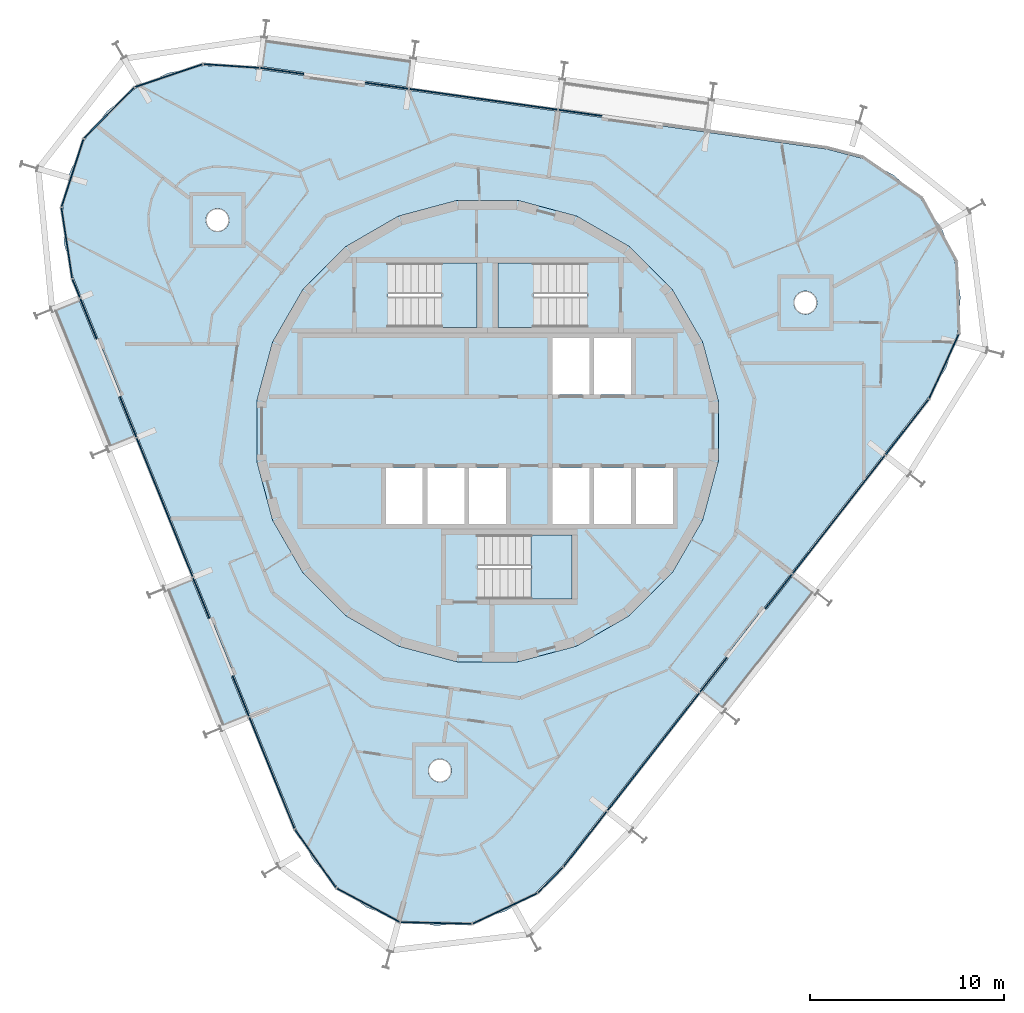
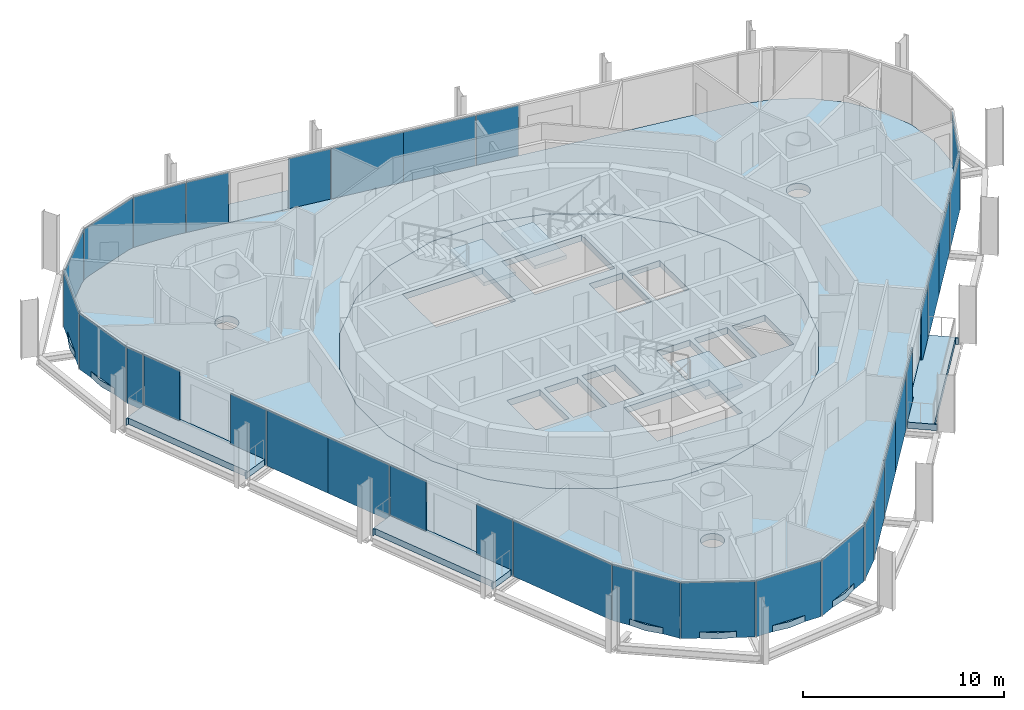
# One storey, part 8 of 15: 32 plates, 9 slabs, 9 elements without a shape of their own.
"""IFC4 building model written with IfcOpenShell, lengths in metres."""

from ifc_helpers import new_model, si_unit, direction, frame, origin, origin_2d, place, context, subcontext, project, spatial, polyline, rectangle, outline, extrude, material, layer, layer_set, type_object, element, aggregate, save


model = new_model("IFC4")

# Units and contexts
model_context = context("Model", 3, precision=1e-05, world=origin(), true_north=direction((0.0, 1.0)))
body_context = subcontext(model_context, "Body", "Model", "MODEL_VIEW")
ifc_project = project(units=[si_unit("LENGTHUNIT", "METRE"), si_unit("AREAUNIT", "SQUARE_METRE"), si_unit("VOLUMEUNIT", "CUBIC_METRE"), si_unit("PLANEANGLEUNIT", "RADIAN"), si_unit("MASSUNIT", "GRAM", prefix="KILO")], contexts=[model_context])

# Site, building, storey
site_placement = place(None, origin())
site = spatial("IfcSite", under=ifc_project, at=site_placement, CompositionType="ELEMENT")
building_placement = place(site_placement, origin())
building = spatial("IfcBuilding", under=site, at=building_placement, Name="Spindle Arch Residences", CompositionType="ELEMENT")
storey_placement = place(building_placement, frame((0.0, 0.0, 350.5)))
storey = spatial("IfcBuildingStorey", under=building, at=storey_placement, Name="L90", CompositionType="ELEMENT", Elevation=350.5)

# Slabs
ifc_material_1 = material(Name="Concrete C40/50", Category="concrete")
ifc_layer_1 = layer(ifc_material_1, 0.3798828125)
ifc_layer_set_1 = layer_set([ifc_layer_1], Name="Balcony slab 380")
slab_type_1 = type_object("IfcSlabType", Name="Balcony slab 380", PredefinedType="FLOOR", material=ifc_layer_set_1)
slab_1_placement = place(storey_placement, frame((0.0, 0.0, -0.3798828125)))
element("IfcSlab", 1, at=slab_1_placement, inside=storey, type_object=slab_type_1, Name="Balcony L90 bay 8", PredefinedType="FLOOR", context=body_context, shape_type="SweptSolid", body=[
    extrude(outline(polyline([(-3.909423828125, 19.219482421875), (-3.98388671875, 19.22998046875), (-4.004638671875, 19.08154296875), (-11.397705078125, 20.120361328125), (-11.376708984375, 20.26904296875), (-11.450927734375, 20.279541015625), (-11.658447265625, 18.803955078125), (-9.47216796875, 18.49658203125), (-9.494384765625, 18.338134765625), (-6.325439453125, 17.892822265625), (-6.30322265625, 18.05126953125), (-4.116943359375, 17.744140625), (-3.909423828125, 19.219482421875)])), origin(), (0.0, 0.0, 1.0), 0.3798828125),
])
slab_2_placement = place(storey_placement, frame((0.0, 0.0, -0.3798828125)))
element("IfcSlab", 2, at=slab_2_placement, inside=storey, type_object=slab_type_1, Name="Balcony L90 bay 12", PredefinedType="FLOOR", context=body_context, shape_type="SweptSolid", body=[
    extrude(outline(polyline([(-22.447265625, 6.204833984375), (-22.419189453125, 6.13525390625), (-22.280029296875, 6.19140625), (-19.4833984375, -0.73046875), (-19.62255859375, -0.78662109375), (-19.594482421875, -0.856201171875), (-18.212890625, -0.298095703125), (-19.0400390625, 1.7490234375), (-18.8916015625, 1.808837890625), (-20.09033203125, 4.77587890625), (-20.23876953125, 4.716064453125), (-21.06591796875, 6.762939453125), (-22.447265625, 6.204833984375)])), origin(), (0.0, 0.0, 1.0), 0.3798828125),
])
slab_3_placement = place(storey_placement, frame((0.0, 0.0, -0.3798828125)))
element("IfcSlab", 3, at=slab_3_placement, inside=storey, type_object=slab_type_1, Name="Balcony L90 bay 14", PredefinedType="FLOOR", context=body_context, shape_type="SweptSolid", body=[
    extrude(outline(polyline([(-16.629150390625, -8.195556640625), (-16.60107421875, -8.264892578125), (-16.462158203125, -8.208740234375), (-13.665283203125, -15.130859375), (-13.804443359375, -15.18701171875), (-13.7763671875, -15.256591796875), (-12.394775390625, -14.6982421875), (-13.221923828125, -12.6513671875), (-13.073486328125, -12.59130859375), (-14.272216796875, -9.624267578125), (-14.420654296875, -9.684326171875), (-15.247802734375, -7.63720703125), (-16.629150390625, -8.195556640625)])), origin(), (0.0, 0.0, 1.0), 0.3798828125),
])
slab_4_placement = place(storey_placement, frame((0.0, 0.0, -0.3798828125)))
element("IfcSlab", 4, at=slab_4_placement, inside=storey, type_object=slab_type_1, Name="Balcony L90 bay 20", PredefinedType="FLOOR", context=body_context, shape_type="SweptSolid", body=[
    extrude(outline(polyline([(12.224853515625, -14.38330078125), (12.27099609375, -14.323974609375), (12.15283203125, -14.231689453125), (16.7490234375, -8.348876953125), (16.8671875, -8.441162109375), (16.913330078125, -8.382080078125), (15.7392578125, -7.464599609375), (14.3798828125, -9.204345703125), (14.25390625, -9.10595703125), (12.28369140625, -11.627685546875), (12.409912109375, -11.72607421875), (11.050537109375, -13.4658203125), (12.224853515625, -14.38330078125)])), origin(), (0.0, 0.0, 1.0), 0.3798828125),
])
ifc_material_2 = material(Name="Concrete C50/60", Category="concrete")
ifc_layer_2 = layer(ifc_material_2, 0.3798828125)
ifc_layer_set_2 = layer_set([ifc_layer_2], Name="Core floor slab 380")
slab_type_2 = type_object("IfcSlabType", Name="Core floor slab 380", PredefinedType="FLOOR", material=ifc_layer_set_2)
slab_5_placement = place(storey_placement, frame((0.0, 0.0, -0.3798828125)))
element("IfcSlab", 5, at=slab_5_placement, inside=storey, type_object=slab_type_2, Name="Core floor L90", PredefinedType="FLOOR", context=body_context, shape_type="SweptSolid", body=[
    extrude(outline(polyline([(1.56640625, -11.897216796875), (4.59228515625, -11.086669921875), (7.30517578125, -9.520263671875), (9.520263671875, -7.30517578125), (11.086669921875, -4.59228515625), (11.897216796875, -1.56640625), (11.897216796875, 1.56640625), (11.086669921875, 4.59228515625), (9.520263671875, 7.30517578125), (7.30517578125, 9.520263671875), (4.59228515625, 11.086669921875), (1.56640625, 11.897216796875), (-1.56640625, 11.897216796875), (-4.59228515625, 11.086669921875), (-7.30517578125, 9.520263671875), (-9.520263671875, 7.30517578125), (-11.086669921875, 4.59228515625), (-11.897216796875, 1.56640625), (-11.897216796875, -1.56640625), (-11.086669921875, -4.59228515625), (-9.520263671875, -7.30517578125), (-7.30517578125, -9.520263671875), (-4.59228515625, -11.086669921875), (-1.56640625, -11.897216796875), (1.56640625, -11.897216796875)]), holes=[polyline([(3.35009765625, 1.89990234375), (5.25, 1.89990234375), (5.25, 4.800048828125), (3.35009765625, 4.800048828125), (3.35009765625, 1.89990234375)]), polyline([(5.5, 1.89990234375), (7.39990234375, 1.89990234375), (7.39990234375, 4.800048828125), (5.5, 4.800048828125), (5.5, 1.89990234375)]), polyline([(-5.25, -4.800048828125), (-3.35009765625, -4.800048828125), (-3.35009765625, -1.89990234375), (-5.25, -1.89990234375), (-5.25, -4.800048828125)]), polyline([(-3.10009765625, -4.800048828125), (-1.199951171875, -4.800048828125), (-1.199951171875, -1.89990234375), (-3.10009765625, -1.89990234375), (-3.10009765625, -4.800048828125)]), polyline([(-0.949951171875, -4.800048828125), (0.949951171875, -4.800048828125), (0.949951171875, -1.89990234375), (-0.949951171875, -1.89990234375), (-0.949951171875, -4.800048828125)]), polyline([(3.35009765625, -4.800048828125), (5.25, -4.800048828125), (5.25, -1.89990234375), (3.35009765625, -1.89990234375), (3.35009765625, -4.800048828125)]), polyline([(5.5, -4.800048828125), (7.39990234375, -4.800048828125), (7.39990234375, -1.89990234375), (5.5, -1.89990234375), (5.5, -4.800048828125)]), polyline([(7.64990234375, -4.800048828125), (9.550048828125, -4.800048828125), (9.550048828125, -1.89990234375), (7.64990234375, -1.89990234375), (7.64990234375, -4.800048828125)]), polyline([(5.1298828125, 8.669921875), (0.550048828125, 8.669921875), (0.550048828125, 5.35009765625), (5.1298828125, 5.35009765625), (5.1298828125, 8.669921875)]), polyline([(-5.1298828125, 5.35009765625), (-0.550048828125, 5.35009765625), (-0.550048828125, 8.669921875), (-5.1298828125, 8.669921875), (-5.1298828125, 5.35009765625)]), polyline([(-0.530029296875, -8.669921875), (4.35009765625, -8.669921875), (4.35009765625, -5.35009765625), (-0.530029296875, -5.35009765625), (-0.530029296875, -8.669921875)])]), origin(), (0.0, 0.0, 1.0), 0.3798828125),
])

# Stair, slab
ifc_material_3 = material(Name="Concrete C50/60", Category="concrete")
stair_type = type_object("IfcStairType", Name="Exit stair 16 risers", PredefinedType="HALF_TURN_STAIR", material=ifc_material_3)
stair_1_placement = place(storey_placement, origin())
stair_1 = element("IfcStair", 6, at=stair_1_placement, inside=storey, type_object=stair_type, Name="L90 Exit stair ST1", PredefinedType="HALF_TURN_STAIR")
ifc_material_4 = material(Name="Concrete C50/60", Category="concrete")
ifc_layer_3 = layer(ifc_material_4, 0.219970703125)
ifc_layer_set_3 = layer_set([ifc_layer_3], Name="Exit stair landing 220")
slab_type_3 = type_object("IfcSlabType", Name="Exit stair landing 220", PredefinedType="LANDING", material=ifc_layer_set_3)
slab_6_placement = place(storey_placement, frame((0.0, 0.0, 1.530029296875)))
slab_6 = element("IfcSlab", 7, at=slab_6_placement, type_object=slab_type_3, Name="ST1 landing 1", PredefinedType="LANDING", context=body_context, shape_type="SweptSolid", body=[
    extrude(outline(polyline([(2.3701171875, 8.669921875), (0.550048828125, 8.669921875), (0.550048828125, 5.35009765625), (2.3701171875, 5.35009765625), (2.3701171875, 8.669921875)])), origin(), (0.0, 0.0, 1.0), 0.219970703125),
])
aggregate(stair_1, [slab_6])

stair_2_placement = place(storey_placement, origin())
stair_2 = element("IfcStair", 8, at=stair_2_placement, inside=storey, type_object=stair_type, Name="L90 Exit stair ST2", PredefinedType="HALF_TURN_STAIR")
slab_7_placement = place(storey_placement, frame((0.0, 0.0, 1.530029296875)))
slab_7 = element("IfcSlab", 9, at=slab_7_placement, type_object=slab_type_3, Name="ST2 landing 1", PredefinedType="LANDING", context=body_context, shape_type="SweptSolid", body=[
    extrude(outline(polyline([(-2.3701171875, 5.35009765625), (-0.550048828125, 5.35009765625), (-0.550048828125, 8.669921875), (-2.3701171875, 8.669921875), (-2.3701171875, 5.35009765625)])), origin(), (0.0, 0.0, 1.0), 0.219970703125),
])
aggregate(stair_2, [slab_7])

stair_3_placement = place(storey_placement, origin())
stair_3 = element("IfcStair", 10, at=stair_3_placement, inside=storey, type_object=stair_type, Name="L90 Exit stair ST3", PredefinedType="HALF_TURN_STAIR")
slab_8_placement = place(storey_placement, frame((0.0, 0.0, 1.530029296875)))
slab_8 = element("IfcSlab", 11, at=slab_8_placement, type_object=slab_type_3, Name="ST3 landing 1", PredefinedType="LANDING", context=body_context, shape_type="SweptSolid", body=[
    extrude(outline(polyline([(2.22998046875, -8.669921875), (4.35009765625, -8.669921875), (4.35009765625, -5.35009765625), (2.22998046875, -5.35009765625), (2.22998046875, -8.669921875)])), origin(), (0.0, 0.0, 1.0), 0.219970703125),
])
aggregate(stair_3, [slab_8])

# Slab
ifc_material_5 = material(Name="Concrete C40/50", Category="concrete")
ifc_layer_4 = layer(ifc_material_5, 0.3798828125)
ifc_layer_set_4 = layer_set([ifc_layer_4], Name="Floor slab 380")
slab_type_4 = type_object("IfcSlabType", Name="Floor slab 380", PredefinedType="FLOOR", material=ifc_layer_set_4)
slab_9_placement = place(storey_placement, frame((0.0, 0.0, -0.3798828125)))
element("IfcSlab", 12, at=slab_9_placement, inside=storey, type_object=slab_type_4, Name="Floor slab L90", PredefinedType="FLOOR", context=body_context, shape_type="SweptSolid", body=[
    extrude(outline(polyline([(2.5380859375, -23.751220703125), (0.962890625, -24.735595703125), (-0.796875, -25.330078125), (-2.646240234375, -25.502685546875), (-4.485595703125, -25.244140625), (-6.2158203125, -24.568359375), (-7.74365234375, -23.511962890625), (-8.986572265625, -22.131591796875), (-9.877685546875, -20.501708984375), (-21.346923828125, 7.885986328125), (-21.838134765625, 9.677490234375), (-21.903076171875, 11.53369140625), (-21.5380859375, 13.35498046875), (-20.7626953125, 15.043212890625), (-19.619140625, 16.5068359375), (-18.1689453125, 17.667236328125), (-16.489990234375, 18.462158203125), (-14.673095703125, 18.848388671875), (-12.816162109375, 18.80517578125), (17.503173828125, 14.5439453125), (19.300048828125, 14.07373046875), (20.940185546875, 13.20166015625), (22.334716796875, 11.974853515625), (23.4091796875, 10.459716796875), (24.10498046875, 8.7373046875), (24.384765625, 6.901123046875), (24.233642578125, 5.0498046875), (23.65966796875, 3.283203125), (22.69384765625, 1.696533203125), (13.268798828125, -10.36669921875), (3.843994140625, -22.43017578125), (2.5380859375, -23.751220703125)]), holes=[polyline([(7.30517578125, -9.520263671875), (9.520263671875, -7.30517578125), (11.086669921875, -4.59228515625), (11.897216796875, -1.56640625), (11.897216796875, 1.56640625), (11.086669921875, 4.59228515625), (9.520263671875, 7.30517578125), (7.30517578125, 9.520263671875), (4.59228515625, 11.086669921875), (1.56640625, 11.897216796875), (-1.56640625, 11.897216796875), (-4.59228515625, 11.086669921875), (-7.30517578125, 9.520263671875), (-9.520263671875, 7.30517578125), (-11.086669921875, 4.59228515625), (-11.897216796875, 1.56640625), (-11.897216796875, -1.56640625), (-11.086669921875, -4.59228515625), (-9.520263671875, -7.30517578125), (-7.30517578125, -9.520263671875), (-4.59228515625, -11.086669921875), (-1.56640625, -11.897216796875), (1.56640625, -11.897216796875), (4.59228515625, -11.086669921875), (7.30517578125, -9.520263671875)]), polyline([(-1.961181640625, -17.838134765625), (-1.90576171875, -17.734375), (-1.87158203125, -17.621826171875), (-1.860107421875, -17.5048828125), (-1.87158203125, -17.3876953125), (-1.90576171875, -17.275146484375), (-1.961181640625, -17.17138671875), (-2.035888671875, -17.08056640625), (-2.126708984375, -17.005859375), (-2.23046875, -16.950439453125), (-2.343017578125, -16.916259765625), (-2.460205078125, -16.90478515625), (-2.5771484375, -16.916259765625), (-2.689697265625, -16.950439453125), (-2.79345703125, -17.005859375), (-2.884521484375, -17.08056640625), (-2.958984375, -17.17138671875), (-3.014404296875, -17.275146484375), (-3.048583984375, -17.3876953125), (-3.06005859375, -17.5048828125), (-3.048583984375, -17.621826171875), (-3.014404296875, -17.734375), (-2.958984375, -17.838134765625), (-2.884521484375, -17.92919921875), (-2.79345703125, -18.003662109375), (-2.689697265625, -18.05908203125), (-2.5771484375, -18.09326171875), (-2.460205078125, -18.104736328125), (-2.343017578125, -18.09326171875), (-2.23046875, -18.05908203125), (-2.126708984375, -18.003662109375), (-2.035888671875, -17.92919921875), (-1.961181640625, -17.838134765625)]), polyline([(-13.505126953125, 10.458740234375), (-13.4306640625, 10.5498046875), (-13.375244140625, 10.6533203125), (-13.341064453125, 10.765869140625), (-13.32958984375, 10.883056640625), (-13.341064453125, 11.0), (-13.375244140625, 11.112548828125), (-13.4306640625, 11.21630859375), (-13.505126953125, 11.307373046875), (-13.59619140625, 11.3818359375), (-13.699951171875, 11.437255859375), (-13.8125, 11.471435546875), (-13.929443359375, 11.48291015625), (-14.046630859375, 11.471435546875), (-14.1591796875, 11.437255859375), (-14.2626953125, 11.3818359375), (-14.353759765625, 11.307373046875), (-14.428466796875, 11.21630859375), (-14.48388671875, 11.112548828125), (-14.51806640625, 11.0), (-14.529541015625, 10.883056640625), (-14.51806640625, 10.765869140625), (-14.48388671875, 10.6533203125), (-14.428466796875, 10.5498046875), (-14.353759765625, 10.458740234375), (-14.2626953125, 10.384033203125), (-14.1591796875, 10.32861328125), (-14.046630859375, 10.29443359375), (-13.929443359375, 10.282958984375), (-13.8125, 10.29443359375), (-13.699951171875, 10.32861328125), (-13.59619140625, 10.384033203125), (-13.505126953125, 10.458740234375)]), polyline([(16.81396484375, 6.197509765625), (16.888671875, 6.28857421875), (16.944091796875, 6.392333984375), (16.978271484375, 6.5048828125), (16.98974609375, 6.621826171875), (16.978271484375, 6.739013671875), (16.944091796875, 6.8515625), (16.888671875, 6.955078125), (16.81396484375, 7.046142578125), (16.722900390625, 7.120849609375), (16.619384765625, 7.17626953125), (16.5068359375, 7.21044921875), (16.3896484375, 7.221923828125), (16.272705078125, 7.21044921875), (16.16015625, 7.17626953125), (16.056396484375, 7.120849609375), (15.96533203125, 7.046142578125), (15.890869140625, 6.955078125), (15.83544921875, 6.8515625), (15.80126953125, 6.739013671875), (15.789794921875, 6.621826171875), (15.80126953125, 6.5048828125), (15.83544921875, 6.392333984375), (15.890869140625, 6.28857421875), (15.96533203125, 6.197509765625), (16.056396484375, 6.123046875), (16.16015625, 6.067626953125), (16.272705078125, 6.033447265625), (16.3896484375, 6.02197265625), (16.5068359375, 6.033447265625), (16.619384765625, 6.067626953125), (16.722900390625, 6.123046875), (16.81396484375, 6.197509765625)])]), origin(), (0.0, 0.0, 1.0), 0.3798828125),
])

# Curtain wall, plates
ifc_material_6 = material(Name="Aluminium bronze unitised frame with tinted glass", Category="aluminium")
ifc_layer_5 = layer(ifc_material_6, 0.159912109375)
ifc_layer_set_5 = layer_set([ifc_layer_5], Name="CW-D corner wall on the fillet arcs")
curtain_wall_type_1 = type_object("IfcCurtainWallType", Name="CW-D corner wall on the fillet arcs", PredefinedType="NOTDEFINED", material=ifc_layer_set_5)
curtain_wall_1_placement = place(storey_placement, origin())
curtain_wall_1 = element("IfcCurtainWall", 13, at=curtain_wall_1_placement, inside=storey, type_object=curtain_wall_type_1, Name="CW-D L90 run 1", PredefinedType="NOTDEFINED")
ifc_material_7 = material(Name="Tinted double glazing over aluminium faced non-combustible spandrel zone (K0)", Category="aluminium")
ifc_layer_6 = layer(ifc_material_7, 0.06005859375)
ifc_layer_set_6 = layer_set([ifc_layer_6], Name="Unitised glass panel with E 60 spandrel zone")
plate_type = type_object("IfcPlateType", Name="Unitised glass panel with E 60 spandrel zone", PredefinedType="CURTAIN_PANEL", material=ifc_layer_set_6)
plate_1_placement = place(storey_placement, frame((21.630126953125, 0.205078125, -0.3798828125), z_axis=(0.0, 0.0, 1.0), x_axis=(0.615661475326, 0.788010753607, 0.0)))
plate_1 = element("IfcPlate", 14, at=plate_1_placement, type_object=plate_type, Name="CW-D unit 00", PredefinedType="CURTAIN_PANEL", context=body_context, shape_type="SweptSolid", body=[
    extrude(rectangle(XDim=3.60009765625, YDim=0.06005859375, at=origin_2d()), origin(), (0.0, 0.0, 1.0), 3.3798828125),
])
plate_2_placement = place(storey_placement, frame((23.534423828125, 3.340576171875, -0.3798828125), z_axis=(0.0, 0.0, 1.0), x_axis=(0.417338452362, 0.908751129947, 0.0)))
plate_2 = element("IfcPlate", 15, at=plate_2_placement, type_object=plate_type, Name="CW-D unit 01", PredefinedType="CURTAIN_PANEL", context=body_context, shape_type="SweptSolid", body=[
    extrude(rectangle(XDim=3.666748046875, YDim=0.06005859375, at=origin_2d()), origin(), (0.0, 0.0, 1.0), 3.3798828125),
])
aggregate(curtain_wall_1, [plate_1, plate_2])

ifc_material_8 = material(Name="Aluminium bronze unitised frame with tinted glass", Category="aluminium")
ifc_layer_7 = layer(ifc_material_8, 0.159912109375)
ifc_layer_set_7 = layer_set([ifc_layer_7], Name="CW-C typical residential unitised wall")
curtain_wall_type_2 = type_object("IfcCurtainWallType", Name="CW-C typical residential unitised wall", PredefinedType="NOTDEFINED", material=ifc_layer_set_7)
curtain_wall_2_placement = place(storey_placement, origin())
curtain_wall_2 = element("IfcCurtainWall", 16, at=curtain_wall_2_placement, inside=storey, type_object=curtain_wall_type_2, Name="CW-C L90 run 2", PredefinedType="NOTDEFINED")
plate_3_placement = place(storey_placement, frame((4.781494140625, 16.41259765625, -0.3798828125), z_axis=(0.0, 0.0, 1.0), x_axis=(-0.990268068742, 0.13917310096, 0.0)))
plate_3 = element("IfcPlate", 17, at=plate_3_placement, type_object=plate_type, Name="CW-C unit 05R", PredefinedType="CURTAIN_PANEL", context=body_context, shape_type="SweptSolid", body=[
    extrude(rectangle(XDim=2.252685546875, YDim=0.06005859375, at=origin_2d()), origin(), (0.0, 0.0, 1.0), 3.3798828125),
])
plate_4_placement = place(storey_placement, frame((1.698974609375, 16.845947265625, -0.3798828125), z_axis=(0.0, 0.0, 1.0), x_axis=(-0.990268068742, 0.13917310096, 0.0)))
plate_4 = element("IfcPlate", 18, at=plate_4_placement, type_object=plate_type, Name="CW-C unit 06A", PredefinedType="CURTAIN_PANEL", context=body_context, shape_type="SweptSolid", body=[
    extrude(rectangle(XDim=3.852783203125, YDim=0.06005859375, at=origin_2d()), origin(), (0.0, 0.0, 1.0), 3.3798828125),
])
plate_5_placement = place(storey_placement, frame((-2.116455078125, 17.382080078125, -0.3798828125), z_axis=(0.0, 0.0, 1.0), x_axis=(-0.990268068742, 0.13917310096, 0.0)))
plate_5 = element("IfcPlate", 19, at=plate_5_placement, type_object=plate_type, Name="CW-C unit 06B", PredefinedType="CURTAIN_PANEL", context=body_context, shape_type="SweptSolid", body=[
    extrude(rectangle(XDim=3.852783203125, YDim=0.06005859375, at=origin_2d()), origin(), (0.0, 0.0, 1.0), 3.3798828125),
])
plate_6_placement = place(storey_placement, frame((-5.198974609375, 17.8154296875, -0.3798828125), z_axis=(0.0, 0.0, 1.0), x_axis=(-0.990268068742, 0.13917310096, 0.0)))
plate_6 = element("IfcPlate", 20, at=plate_6_placement, type_object=plate_type, Name="CW-C unit 07L", PredefinedType="CURTAIN_PANEL", context=body_context, shape_type="SweptSolid", body=[
    extrude(rectangle(XDim=2.252685546875, YDim=0.06005859375, at=origin_2d()), origin(), (0.0, 0.0, 1.0), 3.3798828125),
])
plate_7_placement = place(storey_placement, frame((-10.5986328125, 18.57421875, -0.3798828125), z_axis=(0.0, 0.0, 1.0), x_axis=(-0.990268068742, 0.13917310096, 0.0)))
plate_7 = element("IfcPlate", 21, at=plate_7_placement, type_object=plate_type, Name="CW-C unit 07R", PredefinedType="CURTAIN_PANEL", context=body_context, shape_type="SweptSolid", body=[
    extrude(rectangle(XDim=2.252685546875, YDim=0.06005859375, at=origin_2d()), origin(), (0.0, 0.0, 1.0), 3.3798828125),
])
aggregate(curtain_wall_2, [plate_3, plate_4, plate_5, plate_6, plate_7])

curtain_wall_3_placement = place(storey_placement, origin())
curtain_wall_3 = element("IfcCurtainWall", 22, at=curtain_wall_3_placement, inside=storey, type_object=curtain_wall_type_1, Name="CW-D L90 run 3", PredefinedType="NOTDEFINED")
plate_8_placement = place(storey_placement, frame((-13.212158203125, 18.83154296875, -0.3798828125), z_axis=(0.0, 0.0, 1.0), x_axis=(-0.99785193122, 0.065509719587, 0.0)))
plate_8 = element("IfcPlate", 23, at=plate_8_placement, type_object=plate_type, Name="CW-D unit 00", PredefinedType="CURTAIN_PANEL", context=body_context, shape_type="SweptSolid", body=[
    extrude(rectangle(XDim=2.883056640625, YDim=0.06005859375, at=origin_2d()), origin(), (0.0, 0.0, 1.0), 3.3798828125),
])
plate_9_placement = place(storey_placement, frame((-16.446044921875, 18.33154296875, -0.3798828125), z_axis=(0.0, 0.0, 1.0), x_axis=(-0.947396640541, -0.320061877599, 0.0)))
plate_9 = element("IfcPlate", 24, at=plate_9_placement, type_object=plate_type, Name="CW-D unit 01", PredefinedType="CURTAIN_PANEL", context=body_context, shape_type="SweptSolid", body=[
    extrude(rectangle(XDim=3.666748046875, YDim=0.06005859375, at=origin_2d()), origin(), (0.0, 0.0, 1.0), 3.3798828125),
])
plate_10_placement = place(storey_placement, frame((-19.521240234375, 16.409912109375, -0.3798828125), z_axis=(0.0, 0.0, 1.0), x_axis=(-0.702981055369, -0.711208574043, 0.0)))
plate_10 = element("IfcPlate", 25, at=plate_10_placement, type_object=plate_type, Name="CW-D unit 02", PredefinedType="CURTAIN_PANEL", context=body_context, shape_type="SweptSolid", body=[
    extrude(rectangle(XDim=3.666748046875, YDim=0.06005859375, at=origin_2d()), origin(), (0.0, 0.0, 1.0), 3.3798828125),
])
plate_11_placement = place(storey_placement, frame((-21.406982421875, 13.3125, -0.3798828125), z_axis=(0.0, 0.0, 1.0), x_axis=(-0.309016990673, -0.951056517498, 0.0)))
plate_11 = element("IfcPlate", 26, at=plate_11_placement, type_object=plate_type, Name="CW-D unit 03", PredefinedType="CURTAIN_PANEL", context=body_context, shape_type="SweptSolid", body=[
    extrude(rectangle(XDim=3.666748046875, YDim=0.06005859375, at=origin_2d()), origin(), (0.0, 0.0, 1.0), 3.3798828125),
])
plate_12_placement = place(storey_placement, frame((-21.701904296875, 9.6982421875, -0.3798828125), z_axis=(0.0, 0.0, 1.0), x_axis=(0.150685718984, -0.988581718471, 0.0)))
plate_12 = element("IfcPlate", 27, at=plate_12_placement, type_object=plate_type, Name="CW-D unit 04", PredefinedType="CURTAIN_PANEL", context=body_context, shape_type="SweptSolid", body=[
    extrude(rectangle(XDim=3.666748046875, YDim=0.06005859375, at=origin_2d()), origin(), (0.0, 0.0, 1.0), 3.3798828125),
])
plate_13_placement = place(storey_placement, frame((-21.220458984375, 7.359375, -0.3798828125), z_axis=(0.0, 0.0, 1.0), x_axis=(0.374606593416, -0.927183854567, 0.0)))
plate_13 = element("IfcPlate", 28, at=plate_13_placement, type_object=plate_type, Name="CW-D unit 05", PredefinedType="CURTAIN_PANEL", context=body_context, shape_type="SweptSolid", body=[
    extrude(rectangle(XDim=1.01171875, YDim=0.06005859375, at=origin_2d()), origin(), (0.0, 0.0, 1.0), 3.3798828125),
])
aggregate(curtain_wall_3, [plate_8, plate_9, plate_10, plate_11, plate_12, plate_13])

curtain_wall_4_placement = place(storey_placement, origin())
curtain_wall_4 = element("IfcCurtainWall", 29, at=curtain_wall_4_placement, inside=storey, type_object=curtain_wall_type_2, Name="CW-C L90 run 4", PredefinedType="NOTDEFINED")
plate_14_placement = place(storey_placement, frame((-20.58642578125, 5.790283203125, -0.3798828125), z_axis=(0.0, 0.0, 1.0), x_axis=(0.374606593416, -0.927183854567, 0.0)))
plate_14 = element("IfcPlate", 30, at=plate_14_placement, type_object=plate_type, Name="CW-C unit 11L", PredefinedType="CURTAIN_PANEL", context=body_context, shape_type="SweptSolid", body=[
    extrude(rectangle(XDim=2.252685546875, YDim=0.06005859375, at=origin_2d()), origin(), (0.0, 0.0, 1.0), 3.3798828125),
])
plate_15_placement = place(storey_placement, frame((-18.5439453125, 0.734619140625, -0.3798828125), z_axis=(0.0, 0.0, 1.0), x_axis=(0.374606593416, -0.927183854567, 0.0)))
plate_15 = element("IfcPlate", 31, at=plate_15_placement, type_object=plate_type, Name="CW-C unit 11R", PredefinedType="CURTAIN_PANEL", context=body_context, shape_type="SweptSolid", body=[
    extrude(rectangle(XDim=2.252685546875, YDim=0.06005859375, at=origin_2d()), origin(), (0.0, 0.0, 1.0), 3.3798828125),
])
plate_16_placement = place(storey_placement, frame((-17.377685546875, -2.151611328125, -0.3798828125), z_axis=(0.0, 0.0, 1.0), x_axis=(0.374606593416, -0.927183854567, 0.0)))
plate_16 = element("IfcPlate", 32, at=plate_16_placement, type_object=plate_type, Name="CW-C unit 12A", PredefinedType="CURTAIN_PANEL", context=body_context, shape_type="SweptSolid", body=[
    extrude(rectangle(XDim=3.852783203125, YDim=0.06005859375, at=origin_2d()), origin(), (0.0, 0.0, 1.0), 3.3798828125),
])
plate_17_placement = place(storey_placement, frame((-15.9345703125, -5.723876953125, -0.3798828125), z_axis=(0.0, 0.0, 1.0), x_axis=(0.374606593416, -0.927183854567, 0.0)))
plate_17 = element("IfcPlate", 33, at=plate_17_placement, type_object=plate_type, Name="CW-C unit 12B", PredefinedType="CURTAIN_PANEL", context=body_context, shape_type="SweptSolid", body=[
    extrude(rectangle(XDim=3.852783203125, YDim=0.06005859375, at=origin_2d()), origin(), (0.0, 0.0, 1.0), 3.3798828125),
])
plate_18_placement = place(storey_placement, frame((-14.7685546875, -8.60986328125, -0.3798828125), z_axis=(0.0, 0.0, 1.0), x_axis=(0.374606593416, -0.927183854567, 0.0)))
plate_18 = element("IfcPlate", 34, at=plate_18_placement, type_object=plate_type, Name="CW-C unit 13L", PredefinedType="CURTAIN_PANEL", context=body_context, shape_type="SweptSolid", body=[
    extrude(rectangle(XDim=2.252685546875, YDim=0.06005859375, at=origin_2d()), origin(), (0.0, 0.0, 1.0), 3.3798828125),
])
plate_19_placement = place(storey_placement, frame((-12.725830078125, -13.665771484375, -0.3798828125), z_axis=(0.0, 0.0, 1.0), x_axis=(0.374606593416, -0.927183854567, 0.0)))
plate_19 = element("IfcPlate", 35, at=plate_19_placement, type_object=plate_type, Name="CW-C unit 13R", PredefinedType="CURTAIN_PANEL", context=body_context, shape_type="SweptSolid", body=[
    extrude(rectangle(XDim=2.252685546875, YDim=0.06005859375, at=origin_2d()), origin(), (0.0, 0.0, 1.0), 3.3798828125),
])
aggregate(curtain_wall_4, [plate_14, plate_15, plate_16, plate_17, plate_18, plate_19])

curtain_wall_5_placement = place(storey_placement, origin())
curtain_wall_5 = element("IfcCurtainWall", 36, at=curtain_wall_5_placement, inside=storey, type_object=curtain_wall_type_1, Name="CW-D L90 run 5", PredefinedType="NOTDEFINED")
plate_20_placement = place(storey_placement, frame((-11.122314453125, -17.634765625, -0.3798828125), z_axis=(0.0, 0.0, 1.0), x_axis=(0.374606593416, -0.927183854567, 0.0)))
plate_20 = element("IfcPlate", 37, at=plate_20_placement, type_object=plate_type, Name="CW-D unit 00", PredefinedType="CURTAIN_PANEL", context=body_context, shape_type="SweptSolid", body=[
    extrude(rectangle(XDim=6.188720703125, YDim=0.06005859375, at=origin_2d()), origin(), (0.0, 0.0, 1.0), 3.3798828125),
])
plate_21_placement = place(storey_placement, frame((-8.8740234375, -22.0517578125, -0.3798828125), z_axis=(0.0, 0.0, 1.0), x_axis=(0.578332338584, -0.815801266332, 0.0)))
plate_21 = element("IfcPlate", 38, at=plate_21_placement, type_object=plate_type, Name="CW-D unit 01", PredefinedType="CURTAIN_PANEL", context=body_context, shape_type="SweptSolid", body=[
    extrude(rectangle(XDim=3.666748046875, YDim=0.06005859375, at=origin_2d()), origin(), (0.0, 0.0, 1.0), 3.3798828125),
])
plate_22_placement = place(storey_placement, frame((-6.151123046875, -24.44677734375, -0.3798828125), z_axis=(0.0, 0.0, 1.0), x_axis=(0.882947592408, -0.469471563633, 0.0)))
plate_22 = element("IfcPlate", 39, at=plate_22_placement, type_object=plate_type, Name="CW-D unit 02", PredefinedType="CURTAIN_PANEL", context=body_context, shape_type="SweptSolid", body=[
    extrude(rectangle(XDim=3.666748046875, YDim=0.06005859375, at=origin_2d()), origin(), (0.0, 0.0, 1.0), 3.3798828125),
])
plate_23_placement = place(storey_placement, frame((-2.64306640625, -25.364990234375, -0.3798828125), z_axis=(0.0, 0.0, 1.0), x_axis=(0.999729241109, -0.023268959422, 0.0)))
plate_23 = element("IfcPlate", 40, at=plate_23_placement, type_object=plate_type, Name="CW-D unit 03", PredefinedType="CURTAIN_PANEL", context=body_context, shape_type="SweptSolid", body=[
    extrude(rectangle(XDim=3.666748046875, YDim=0.06005859375, at=origin_2d()), origin(), (0.0, 0.0, 1.0), 3.3798828125),
])
plate_24_placement = place(storey_placement, frame((0.904052734375, -24.61083984375, -0.3798828125), z_axis=(0.0, 0.0, 1.0), x_axis=(0.903833768547, 0.427883767902, 0.0)))
plate_24 = element("IfcPlate", 41, at=plate_24_placement, type_object=plate_type, Name="CW-D unit 04", PredefinedType="CURTAIN_PANEL", context=body_context, shape_type="SweptSolid", body=[
    extrude(rectangle(XDim=3.666748046875, YDim=0.06005859375, at=origin_2d()), origin(), (0.0, 0.0, 1.0), 3.3798828125),
])
plate_25_placement = place(storey_placement, frame((3.24755859375, -23.146484375, -0.3798828125), z_axis=(0.0, 0.0, 1.0), x_axis=(0.702981053644, 0.711208575748, 0.0)))
plate_25 = element("IfcPlate", 42, at=plate_25_placement, type_object=plate_type, Name="CW-D unit 05", PredefinedType="CURTAIN_PANEL", context=body_context, shape_type="SweptSolid", body=[
    extrude(rectangle(XDim=1.816162109375, YDim=0.06005859375, at=origin_2d()), origin(), (0.0, 0.0, 1.0), 3.3798828125),
])
plate_26_placement = place(storey_placement, frame((5.03369140625, -21.037109375, -0.3798828125), z_axis=(0.0, 0.0, 1.0), x_axis=(0.615661475326, 0.788010753607, 0.0)))
plate_26 = element("IfcPlate", 43, at=plate_26_placement, type_object=plate_type, Name="CW-D unit 06", PredefinedType="CURTAIN_PANEL", context=body_context, shape_type="SweptSolid", body=[
    extrude(rectangle(XDim=3.60009765625, YDim=0.06005859375, at=origin_2d()), origin(), (0.0, 0.0, 1.0), 3.3798828125),
])
aggregate(curtain_wall_5, [plate_20, plate_21, plate_22, plate_23, plate_24, plate_25, plate_26])

curtain_wall_6_placement = place(storey_placement, origin())
curtain_wall_6 = element("IfcCurtainWall", 44, at=curtain_wall_6_placement, inside=storey, type_object=curtain_wall_type_2, Name="CW-C L90 run 6", PredefinedType="NOTDEFINED")
plate_27_placement = place(storey_placement, frame((7.364990234375, -18.053466796875, -0.3798828125), z_axis=(0.0, 0.0, 1.0), x_axis=(0.615661475326, 0.788010753607, 0.0)))
plate_27 = element("IfcPlate", 45, at=plate_27_placement, type_object=plate_type, Name="CW-C unit 18A", PredefinedType="CURTAIN_PANEL", context=body_context, shape_type="SweptSolid", body=[
    extrude(rectangle(XDim=3.852783203125, YDim=0.06005859375, at=origin_2d()), origin(), (0.0, 0.0, 1.0), 3.3798828125),
])
plate_28_placement = place(storey_placement, frame((9.73681640625, -15.017333984375, -0.3798828125), z_axis=(0.0, 0.0, 1.0), x_axis=(0.615661475326, 0.788010753607, 0.0)))
plate_28 = element("IfcPlate", 46, at=plate_28_placement, type_object=plate_type, Name="CW-C unit 18B", PredefinedType="CURTAIN_PANEL", context=body_context, shape_type="SweptSolid", body=[
    extrude(rectangle(XDim=3.852783203125, YDim=0.06005859375, at=origin_2d()), origin(), (0.0, 0.0, 1.0), 3.3798828125),
])
plate_29_placement = place(storey_placement, frame((11.6533203125, -12.564453125, -0.3798828125), z_axis=(0.0, 0.0, 1.0), x_axis=(0.615661475326, 0.788010753607, 0.0)))
plate_29 = element("IfcPlate", 47, at=plate_29_placement, type_object=plate_type, Name="CW-C unit 19L", PredefinedType="CURTAIN_PANEL", context=body_context, shape_type="SweptSolid", body=[
    extrude(rectangle(XDim=2.252685546875, YDim=0.06005859375, at=origin_2d()), origin(), (0.0, 0.0, 1.0), 3.3798828125),
])
plate_30_placement = place(storey_placement, frame((15.010498046875, -8.267578125, -0.3798828125), z_axis=(0.0, 0.0, 1.0), x_axis=(0.615661475326, 0.788010753607, 0.0)))
plate_30 = element("IfcPlate", 48, at=plate_30_placement, type_object=plate_type, Name="CW-C unit 19R", PredefinedType="CURTAIN_PANEL", context=body_context, shape_type="SweptSolid", body=[
    extrude(rectangle(XDim=2.252685546875, YDim=0.06005859375, at=origin_2d()), origin(), (0.0, 0.0, 1.0), 3.3798828125),
])
plate_31_placement = place(storey_placement, frame((16.9267578125, -5.814697265625, -0.3798828125), z_axis=(0.0, 0.0, 1.0), x_axis=(0.615661475326, 0.788010753607, 0.0)))
plate_31 = element("IfcPlate", 49, at=plate_31_placement, type_object=plate_type, Name="CW-C unit 00A", PredefinedType="CURTAIN_PANEL", context=body_context, shape_type="SweptSolid", body=[
    extrude(rectangle(XDim=3.852783203125, YDim=0.06005859375, at=origin_2d()), origin(), (0.0, 0.0, 1.0), 3.3798828125),
])
plate_32_placement = place(storey_placement, frame((19.298828125, -2.778564453125, -0.3798828125), z_axis=(0.0, 0.0, 1.0), x_axis=(0.615661475326, 0.788010753607, 0.0)))
plate_32 = element("IfcPlate", 50, at=plate_32_placement, type_object=plate_type, Name="CW-C unit 00B", PredefinedType="CURTAIN_PANEL", context=body_context, shape_type="SweptSolid", body=[
    extrude(rectangle(XDim=3.852783203125, YDim=0.06005859375, at=origin_2d()), origin(), (0.0, 0.0, 1.0), 3.3798828125),
])
aggregate(curtain_wall_6, [plate_27, plate_28, plate_29, plate_30, plate_31, plate_32])

save(model, "model.ifc")
